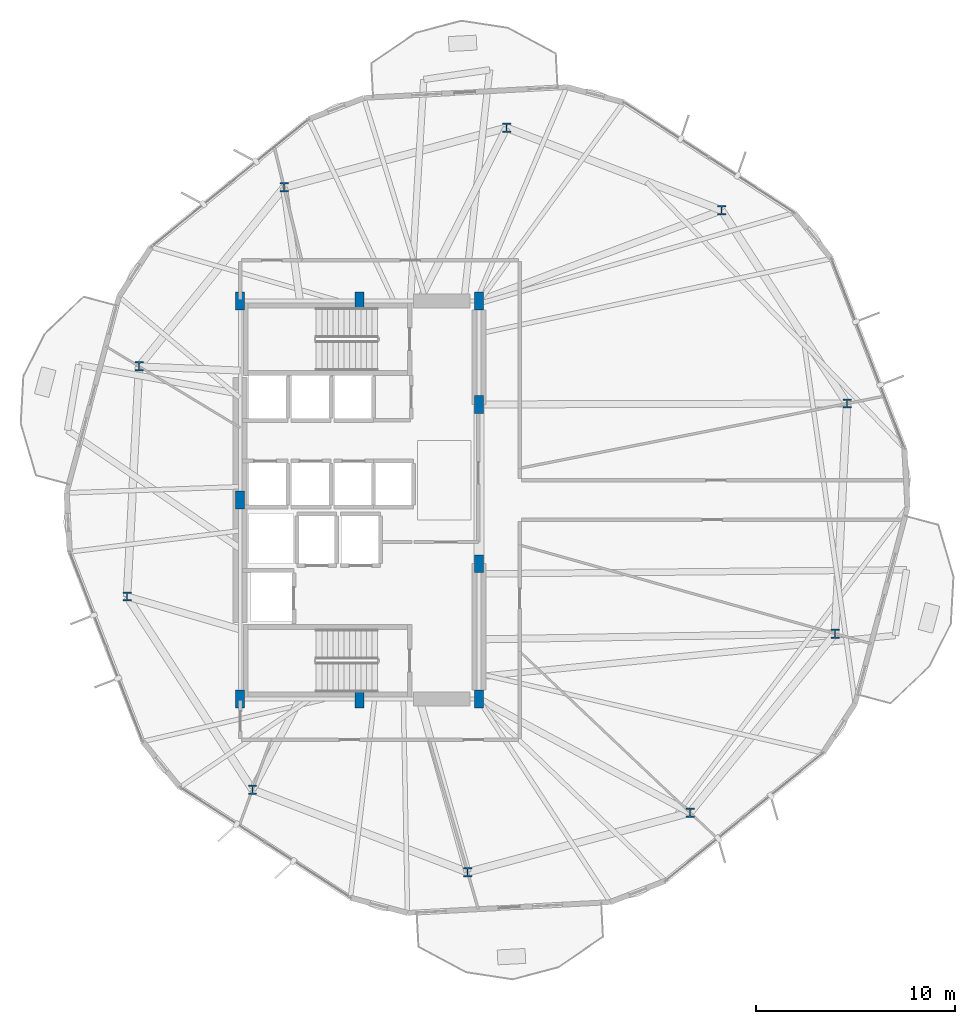
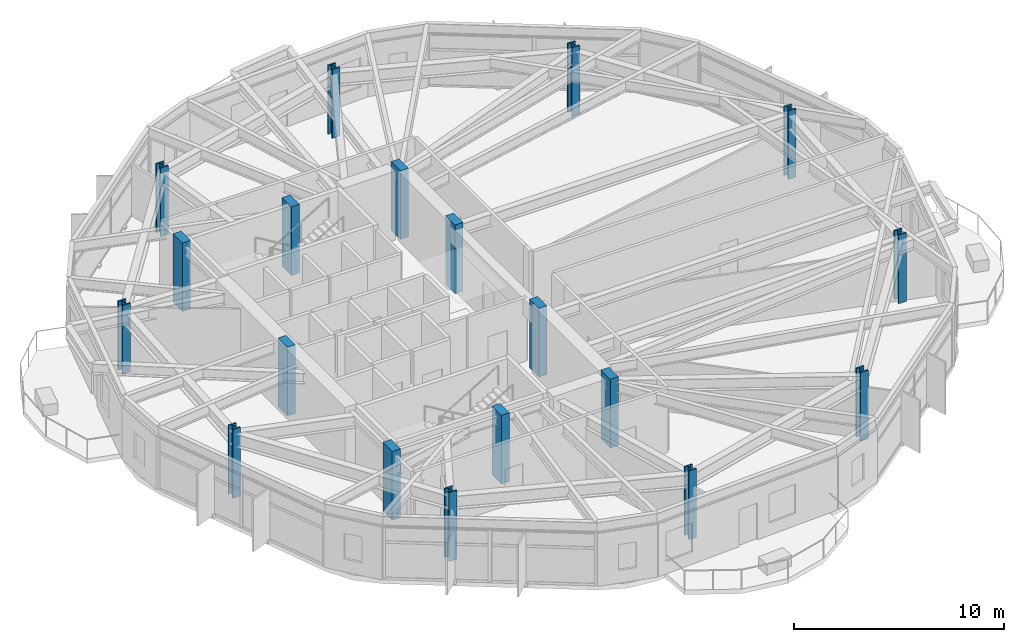
# One storey, part 1 of 23: 19 columns.
"""IFC4 building model written with IfcOpenShell, lengths in metres."""

from ifc_helpers import new_model, si_unit, direction, frame, origin, origin_2d, place, context, subcontext, project, spatial, rectangle, i_section, extrude, material, material_profile, profile_set, type_object, element, save


model = new_model("IFC4")

# Units and contexts
model_context = context("Model", 3, precision=1e-05, world=origin(), true_north=direction((0.0, 1.0)))
body_context = subcontext(model_context, "Body", "Model", "MODEL_VIEW")
ifc_project = project(units=[si_unit("LENGTHUNIT", "METRE"), si_unit("AREAUNIT", "SQUARE_METRE"), si_unit("VOLUMEUNIT", "CUBIC_METRE"), si_unit("PLANEANGLEUNIT", "RADIAN"), si_unit("MASSUNIT", "GRAM", prefix="KILO")], contexts=[model_context])

# Site, building, storey
site_placement = place(None, origin())
site = spatial("IfcSite", under=ifc_project, at=site_placement, CompositionType="ELEMENT")
building_placement = place(site_placement, origin())
building = spatial("IfcBuilding", under=site, at=building_placement, Name="Soratama Intermodal Tower", CompositionType="ELEMENT")
storey_placement = place(building_placement, frame((0.0, 0.0, 38.60009765625)))
storey = spatial("IfcBuildingStorey", under=building, at=storey_placement, Name="L08", CompositionType="ELEMENT", Elevation=38.60009765625)

# Columns
ifc_material_1 = material(Name="Structural steel ASTM A992 Grade 50", Category="steel")
ifc_material_profile_1 = material_profile(ifc_material_1, i_section(OverallWidth=0.424072265625, OverallDepth=0.47412109375, WebThickness=0.047607421875, FlangeThickness=0.0771484375, FilletRadius=0.0380859375, at=origin_2d()), Name="W14X426")
ifc_profile_set_1 = profile_set([ifc_material_profile_1], Name="Structural steel ASTM A992 Grade 50")
column_type_1 = type_object("IfcColumnType", Name="COL-ZA-W14X426", PredefinedType="COLUMN", material=ifc_profile_set_1)
for number, where, z_axis, x_axis, name in (
    (1, (63.08203125, 29.84521484375, 0.0), (0.0, 0.0, 1.0), (1.0, 0.0, 0.0), "L08 Tower Ring Column R01"),
    (2, (56.781005859375, 39.548095703125, 0.0), (0.0, 0.0, 1.0), (1.0, 0.0, 0.0), "L08 Tower Ring Column R02"),
    (3, (45.979736328125, 43.6943359375, 0.0), (0.0, 0.0, 1.0), (1.0, 0.0, 0.0), "L08 Tower Ring Column R03"),
    (4, (34.804443359375, 40.699951171875, 0.0), (0.0, 0.0, 1.0), (1.0, 0.0, 0.0), "L08 Tower Ring Column R04"),
    (5, (27.5234375, 31.70849609375, 0.0), (0.0, 0.0, 1.0), (1.0, 0.0, 0.0), "L08 Tower Ring Column R05"),
    (6, (26.91796875, 20.15478515625, 0.0), (0.0, 0.0, 1.0), (1.0, 0.0, 0.0), "L08 Tower Ring Column R06"),
    (7, (33.218994140625, 10.451904296875, 0.0), (0.0, 0.0, 1.0), (1.0, 0.0, 0.0), "L08 Tower Ring Column R07"),
    (8, (44.020263671875, 6.3056640625, 0.0), (0.0, 0.0, 1.0), (1.0, 0.0, 0.0), "L08 Tower Ring Column R08"),
    (9, (55.195556640625, 9.300048828125, 0.0), (0.0, 0.0, 1.0), (1.0, 0.0, 0.0), "L08 Tower Ring Column R09"),
    (10, (62.4765625, 18.29150390625, 0.0), (0.0, 0.0, 1.0), (1.0, 0.0, 0.0), "L08 Tower Ring Column R10"),
):
    element("IfcColumn", number, at=place(storey_placement, frame(where, z_axis=z_axis, x_axis=x_axis)), inside=storey, type_object=column_type_1, Name=name, PredefinedType="COLUMN", context=body_context, shape_type="SweptSolid", body=[
        extrude(i_section(OverallWidth=0.424072265625, OverallDepth=0.47412109375, WebThickness=0.047607421875, FlangeThickness=0.0771484375, FilletRadius=0.0380859375, at=origin_2d()), origin(), (0.0, 0.0, 1.0), 4.0),
    ])
ifc_material_2 = material(Name="Concrete f'c 56 MPa", Category="concrete")
ifc_material_profile_2 = material_profile(ifc_material_2, rectangle(XDim=0.449951171875, YDim=0.89990234375, at=origin_2d()), Name="RC450X900")
ifc_profile_set_2 = profile_set([ifc_material_profile_2], Name="Concrete f'c 56 MPa")
column_type_2 = type_object("IfcColumnType", Name="PIL-CORE-450X900", PredefinedType="PILASTER", material=ifc_profile_set_2)
for number, where, z_axis, x_axis, name in (
    (11, (32.60009765625, 15.0, 0.0), (0.0, 0.0, 1.0), (1.0, 0.0, 0.0), "L08 Core Pilaster 1"),
    (12, (32.60009765625, 25.0, 0.0), (0.0, 0.0, 1.0), (1.0, 0.0, 0.0), "L08 Core Pilaster 2"),
    (13, (32.60009765625, 35.0, 0.0), (0.0, 0.0, 1.0), (1.0, 0.0, 0.0), "L08 Core Pilaster 3"),
    (14, (38.60009765625, 15.0, 0.0), (0.0, 0.0, 1.0), (1.0, 0.0, 0.0), "L08 Core Pilaster 4"),
    (15, (38.60009765625, 35.0, 0.0), (0.0, 0.0, 1.0), (1.0, 0.0, 0.0), "L08 Core Pilaster 5"),
    (16, (44.60009765625, 15.0, 0.0), (0.0, 0.0, 1.0), (1.0, 0.0, 0.0), "L08 Core Pilaster 6"),
    (17, (44.60009765625, 21.800048828125, 0.0), (0.0, 0.0, 1.0), (1.0, 0.0, 0.0), "L08 Core Pilaster 7"),
    (18, (44.60009765625, 29.800048828125, 0.0), (0.0, 0.0, 1.0), (1.0, 0.0, 0.0), "L08 Core Pilaster 8"),
    (19, (44.60009765625, 35.0, 0.0), (0.0, 0.0, 1.0), (1.0, 0.0, 0.0), "L08 Core Pilaster 9"),
):
    element("IfcColumn", number, at=place(storey_placement, frame(where, z_axis=z_axis, x_axis=x_axis)), inside=storey, type_object=column_type_2, Name=name, PredefinedType="PILASTER", context=body_context, shape_type="SweptSolid", body=[
        extrude(rectangle(XDim=0.449951171875, YDim=0.89990234375, at=origin_2d()), origin(), (0.0, 0.0, 1.0), 4.0),
    ])

save(model, "model.ifc")
